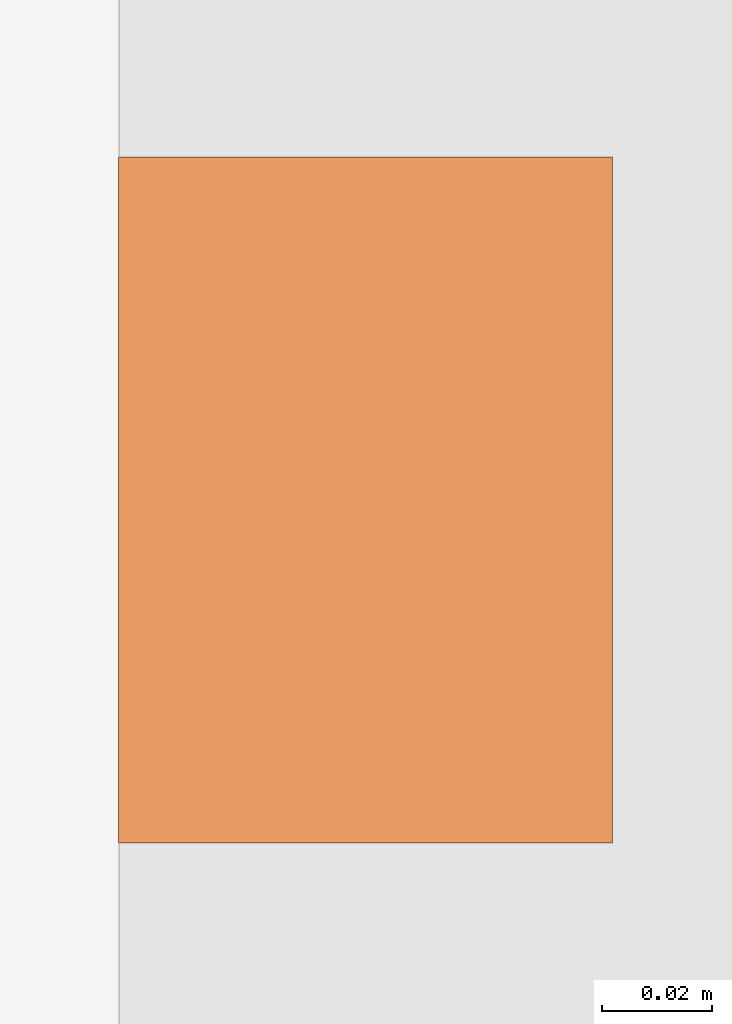
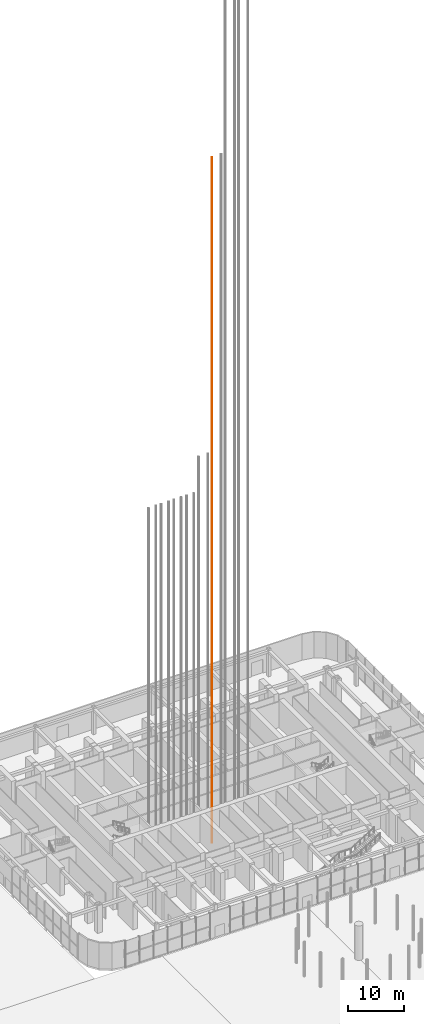
# One storey, part 52 of 57: 1 proxy.
"""IFC4 building model written with IfcOpenShell, lengths in metres."""

from ifc_helpers import new_model, si_unit, direction, frame, origin, origin_2d, place, context, subcontext, project, spatial, rectangle, extrude, material, element, save


model = new_model("IFC4")

# Units and contexts
model_context = context("Model", 3, precision=1e-05, world=origin(), true_north=direction((0.0, 1.0)))
body_context = subcontext(model_context, "Body", "Model", "MODEL_VIEW")
ifc_project = project(units=[si_unit("LENGTHUNIT", "METRE"), si_unit("AREAUNIT", "SQUARE_METRE"), si_unit("VOLUMEUNIT", "CUBIC_METRE"), si_unit("PLANEANGLEUNIT", "RADIAN"), si_unit("MASSUNIT", "GRAM", prefix="KILO")], contexts=[model_context])

# Site, building, storey
site_placement = place(None, origin())
site = spatial("IfcSite", under=ifc_project, at=site_placement, CompositionType="ELEMENT")
building_placement = place(site_placement, origin())
building = spatial("IfcBuilding", under=site, at=building_placement, Name="Orbita Commons", CompositionType="ELEMENT")
storey_placement = place(building_placement, origin())
storey = spatial("IfcBuildingStorey", under=building, at=storey_placement, Name="L00", CompositionType="ELEMENT", Elevation=0.0)

# Proxy
ifc_material = material(Name="Machined steel guide rail", Category="steel")
placement = place(storey_placement, frame((40.52490234375, 28.10009765625, 0.0), z_axis=(0.0, 0.0, 1.0), x_axis=(1.0, 0.0, 0.0)))
proxy_placement = place(placement, frame((-0.955078125, 0.0, -3.199951171875)))
element("IfcBuildingElementProxy", 1, at=proxy_placement, inside=storey, material=ifc_material, Name="SH21 guide rail 1", ObjectType="GUIDE RAIL", PredefinedType="USERDEFINED", context=body_context, shape_type="SweptSolid", body=[
    extrude(rectangle(XDim=0.09, YDim=0.125, at=origin_2d()), origin(), (0.0, 0.0, 1.0), 149.050048828125),
])

save(model, "model.ifc")
